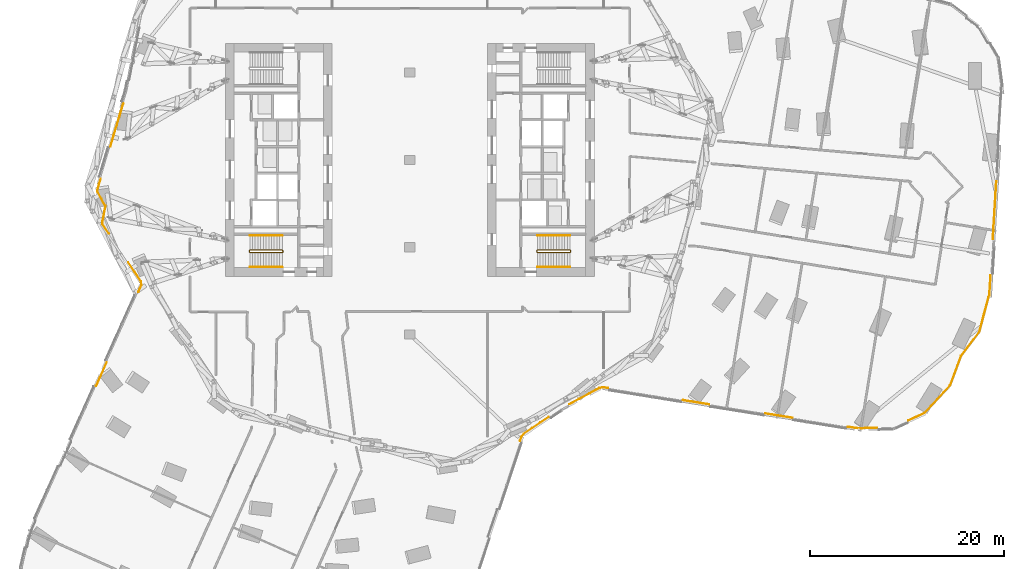
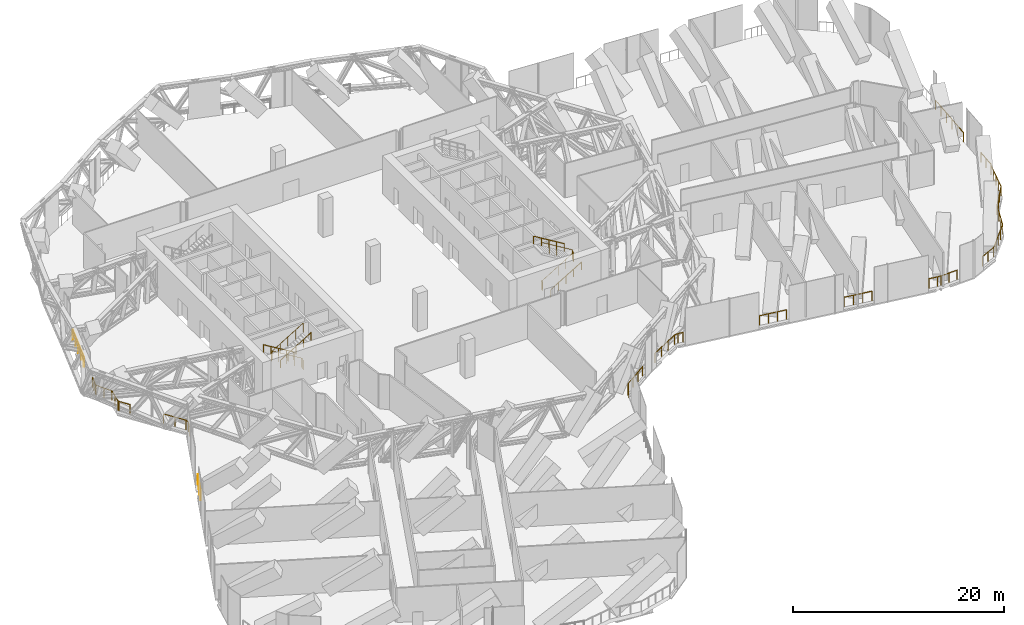
# One storey, part 36 of 39: 19 railings.
"""IFC4 building model written with IfcOpenShell, lengths in metres."""

from ifc_helpers import new_model, si_unit, direction, frame, origin, origin_2d, place, context, subcontext, project, spatial, circle, extrude, material, type_object, element, save


model = new_model("IFC4")

# Units and contexts
model_context = context("Model", 3, precision=1e-05, world=origin(), true_north=direction((0.0, 1.0)))
body_context = subcontext(model_context, "Body", "Model", "MODEL_VIEW")
ifc_project = project(units=[si_unit("LENGTHUNIT", "METRE"), si_unit("AREAUNIT", "SQUARE_METRE"), si_unit("VOLUMEUNIT", "CUBIC_METRE"), si_unit("PLANEANGLEUNIT", "RADIAN"), si_unit("MASSUNIT", "GRAM", prefix="KILO")], contexts=[model_context])

# Site, building, storey
site_placement = place(None, origin())
site = spatial("IfcSite", under=ifc_project, at=site_placement, CompositionType="ELEMENT")
building_placement = place(site_placement, origin())
building = spatial("IfcBuilding", under=site, at=building_placement, Name="Orlundy Tower", CompositionType="ELEMENT")
storey_placement = place(building_placement, frame((0.0, 0.0, 141.199951171875)))
storey = spatial("IfcBuildingStorey", under=building, at=storey_placement, Name="L36", CompositionType="ELEMENT", Elevation=141.199951171875)

# Railings
ifc_material_1 = material(Name="Steel balustrade", Category="steel")
railing_type_1 = type_object("IfcRailingType", Name="Stair Guard 1100", PredefinedType="GUARDRAIL", material=ifc_material_1)
railing_1_placement = place(storey_placement, frame((-13.090087890625, -9.35009765625, 0.0)))
element("IfcRailing", 1, at=railing_1_placement, inside=storey, type_object=railing_type_1, Name="L36 ST-W2 stair guard 1", PredefinedType="GUARDRAIL", context=body_context, shape_type="SweptSolid", body=[
    extrude(circle(Radius=0.02392578125, at=origin_2d()), frame((0.0, 0.0, 1.076171875), z_axis=(0.0, -1.0, 0.0), x_axis=(1.0, 0.0, 0.0)), (0.0, 0.0, 1.0), 0.14990234375),
    extrude(circle(Radius=0.02392578125, at=origin_2d()), frame((0.0, -0.14990234375, 1.076171875), z_axis=(-0.186800498525, 0.749949060256, 0.634572281755), x_axis=(-0.970351222016, -0.241699205484, 0.0)), (0.0, 0.0, 1.0), 0.2666015625),
    extrude(circle(Radius=0.02392578125, at=origin_2d()), frame((-0.0498046875, 0.050048828125, 1.2451171875), z_axis=(-0.855836976705, 0.0, 0.517245656632), x_axis=(0.0, -1.0, 0.0)), (0.0, 0.0, 1.0), 3.926025390625),
    extrude(circle(Radius=0.02392578125, at=origin_2d()), frame((-3.409912109375, 0.050048828125, 3.27587890625), z_axis=(-0.707106781187, -0.707106781187, 0.0), x_axis=(0.707106781187, -0.707106781187, 0.0)), (0.0, 0.0, 1.0), 0.07080078125),
    extrude(circle(Radius=0.02392578125, at=origin_2d()), frame((-3.4599609375, 0.0, 3.27587890625), z_axis=(0.0, -1.0, 0.0), x_axis=(1.0, 0.0, 0.0)), (0.0, 0.0, 1.0), 0.14990234375),
    extrude(circle(Radius=0.02392578125, at=origin_2d()), frame((-3.4599609375, -0.14990234375, 3.27587890625), z_axis=(0.272562526181, -0.272562526181, 0.92272386912), x_axis=(0.707106781187, 0.707106781187, 0.0)), (0.0, 0.0, 1.0), 0.18359375),
    extrude(circle(Radius=0.02392578125, at=origin_2d()), frame((-3.409912109375, -0.199951171875, 3.4453125), z_axis=(0.855836976705, 0.0, 0.517245656632), x_axis=(0.0, 1.0, 0.0)), (0.0, 0.0, 1.0), 3.926025390625),
    extrude(circle(Radius=0.02099609375, at=origin_2d()), origin(), (0.0, 0.0, 1.0), 1.052001953125),
    extrude(circle(Radius=0.02099609375, at=origin_2d()), frame((0.0, -0.14990234375, 0.0)), (0.0, 0.0, 1.0), 1.052001953125),
    extrude(circle(Radius=0.02099609375, at=origin_2d()), frame((-0.0498046875, 0.050048828125, 0.169189453125)), (0.0, 0.0, 1.0), 1.052001953125),
    extrude(circle(Radius=0.02099609375, at=origin_2d()), frame((-0.889892578125, 0.050048828125, 0.6767578125)), (0.0, 0.0, 1.0), 1.052001953125),
    extrude(circle(Radius=0.02099609375, at=origin_2d()), frame((-1.72998046875, 0.050048828125, 1.1845703125)), (0.0, 0.0, 1.0), 1.052001953125),
    extrude(circle(Radius=0.02099609375, at=origin_2d()), frame((-2.56982421875, 0.050048828125, 1.6923828125)), (0.0, 0.0, 1.0), 1.052001953125),
    extrude(circle(Radius=0.02099609375, at=origin_2d()), frame((-3.409912109375, 0.050048828125, 2.199951171875)), (0.0, 0.0, 1.0), 1.052001953125),
    extrude(circle(Radius=0.02099609375, at=origin_2d()), frame((-3.4599609375, 0.0, 2.199951171875)), (0.0, 0.0, 1.0), 1.052001953125),
    extrude(circle(Radius=0.02099609375, at=origin_2d()), frame((-3.4599609375, -0.14990234375, 2.199951171875)), (0.0, 0.0, 1.0), 1.052001953125),
    extrude(circle(Radius=0.02099609375, at=origin_2d()), frame((-3.409912109375, -0.199951171875, 2.369384765625)), (0.0, 0.0, 1.0), 1.052001953125),
    extrude(circle(Radius=0.02099609375, at=origin_2d()), frame((-2.56982421875, -0.199951171875, 2.876953125)), (0.0, 0.0, 1.0), 1.052001953125),
    extrude(circle(Radius=0.02099609375, at=origin_2d()), frame((-1.72998046875, -0.199951171875, 3.384765625)), (0.0, 0.0, 1.0), 1.052001953125),
    extrude(circle(Radius=0.02099609375, at=origin_2d()), frame((-0.889892578125, -0.199951171875, 3.892578125)), (0.0, 0.0, 1.0), 1.052001953125),
    extrude(circle(Radius=0.02099609375, at=origin_2d()), frame((-0.0498046875, -0.199951171875, 4.400146484375)), (0.0, 0.0, 1.0), 1.052001953125),
])
railing_2_placement = place(storey_placement, frame((13.090087890625, -9.5, 0.0)))
element("IfcRailing", 2, at=railing_2_placement, inside=storey, type_object=railing_type_1, Name="L36 ST-E1 stair guard 1", PredefinedType="GUARDRAIL", context=body_context, shape_type="SweptSolid", body=[
    extrude(circle(Radius=0.02392578125, at=origin_2d()), frame((0.0, 0.0, 1.076171875), z_axis=(0.0, 1.0, 0.0), x_axis=(-1.0, 0.0, 0.0)), (0.0, 0.0, 1.0), 0.14990234375),
    extrude(circle(Radius=0.02392578125, at=origin_2d()), frame((0.0, 0.14990234375, 1.076171875), z_axis=(0.186800498525, -0.749949060256, 0.634572281755), x_axis=(0.970351222016, 0.241699205484, 0.0)), (0.0, 0.0, 1.0), 0.2666015625),
    extrude(circle(Radius=0.02392578125, at=origin_2d()), frame((0.0498046875, -0.050048828125, 1.2451171875), z_axis=(0.855836976705, 0.0, 0.517245656632), x_axis=(0.0, 1.0, 0.0)), (0.0, 0.0, 1.0), 3.926025390625),
    extrude(circle(Radius=0.02392578125, at=origin_2d()), frame((3.409912109375, -0.050048828125, 3.27587890625), z_axis=(0.707106781187, 0.707106781187, 0.0), x_axis=(-0.707106781187, 0.707106781187, 0.0)), (0.0, 0.0, 1.0), 0.07080078125),
    extrude(circle(Radius=0.02392578125, at=origin_2d()), frame((3.4599609375, 0.0, 3.27587890625), z_axis=(0.0, 1.0, 0.0), x_axis=(-1.0, 0.0, 0.0)), (0.0, 0.0, 1.0), 0.14990234375),
    extrude(circle(Radius=0.02392578125, at=origin_2d()), frame((3.4599609375, 0.14990234375, 3.27587890625), z_axis=(-0.272562526181, 0.272562526181, 0.92272386912), x_axis=(-0.707106781187, -0.707106781187, 0.0)), (0.0, 0.0, 1.0), 0.18359375),
    extrude(circle(Radius=0.02392578125, at=origin_2d()), frame((3.409912109375, 0.199951171875, 3.4453125), z_axis=(-0.855836976705, 0.0, 0.517245656632), x_axis=(0.0, -1.0, 0.0)), (0.0, 0.0, 1.0), 3.926025390625),
    extrude(circle(Radius=0.02099609375, at=origin_2d()), origin(), (0.0, 0.0, 1.0), 1.052001953125),
    extrude(circle(Radius=0.02099609375, at=origin_2d()), frame((0.0, 0.14990234375, 0.0)), (0.0, 0.0, 1.0), 1.052001953125),
    extrude(circle(Radius=0.02099609375, at=origin_2d()), frame((0.0498046875, -0.050048828125, 0.169189453125)), (0.0, 0.0, 1.0), 1.052001953125),
    extrude(circle(Radius=0.02099609375, at=origin_2d()), frame((0.889892578125, -0.050048828125, 0.6767578125)), (0.0, 0.0, 1.0), 1.052001953125),
    extrude(circle(Radius=0.02099609375, at=origin_2d()), frame((1.72998046875, -0.050048828125, 1.1845703125)), (0.0, 0.0, 1.0), 1.052001953125),
    extrude(circle(Radius=0.02099609375, at=origin_2d()), frame((2.56982421875, -0.050048828125, 1.6923828125)), (0.0, 0.0, 1.0), 1.052001953125),
    extrude(circle(Radius=0.02099609375, at=origin_2d()), frame((3.409912109375, -0.050048828125, 2.199951171875)), (0.0, 0.0, 1.0), 1.052001953125),
    extrude(circle(Radius=0.02099609375, at=origin_2d()), frame((3.4599609375, 0.0, 2.199951171875)), (0.0, 0.0, 1.0), 1.052001953125),
    extrude(circle(Radius=0.02099609375, at=origin_2d()), frame((3.4599609375, 0.14990234375, 2.199951171875)), (0.0, 0.0, 1.0), 1.052001953125),
    extrude(circle(Radius=0.02099609375, at=origin_2d()), frame((3.409912109375, 0.199951171875, 2.369384765625)), (0.0, 0.0, 1.0), 1.052001953125),
    extrude(circle(Radius=0.02099609375, at=origin_2d()), frame((2.56982421875, 0.199951171875, 2.876953125)), (0.0, 0.0, 1.0), 1.052001953125),
    extrude(circle(Radius=0.02099609375, at=origin_2d()), frame((1.72998046875, 0.199951171875, 3.384765625)), (0.0, 0.0, 1.0), 1.052001953125),
    extrude(circle(Radius=0.02099609375, at=origin_2d()), frame((0.889892578125, 0.199951171875, 3.892578125)), (0.0, 0.0, 1.0), 1.052001953125),
    extrude(circle(Radius=0.02099609375, at=origin_2d()), frame((0.0498046875, 0.199951171875, 4.400146484375)), (0.0, 0.0, 1.0), 1.052001953125),
])
ifc_material_2 = material(Name="Steel handrail", Category="steel")
railing_type_2 = type_object("IfcRailingType", Name="Stair Handrail 900", PredefinedType="HANDRAIL", material=ifc_material_2)
railing_3_placement = place(storey_placement, frame((-13.139892578125, -7.800048828125, 0.169189453125)))
element("IfcRailing", 3, at=railing_3_placement, inside=storey, type_object=railing_type_2, Name="L36 ST-W2 stair handrail 1", PredefinedType="HANDRAIL", context=body_context, shape_type="SweptSolid", body=[
    extrude(circle(Radius=0.02392578125, at=origin_2d()), frame((0.0, 0.0, 0.8759765625), z_axis=(-0.855836976705, 0.0, 0.517245656632), x_axis=(0.0, -1.0, 0.0)), (0.0, 0.0, 1.0), 3.926025390625),
    extrude(circle(Radius=0.02099609375, at=origin_2d()), origin(), (0.0, 0.0, 1.0), 0.851806640625),
    extrude(circle(Radius=0.02099609375, at=origin_2d()), frame((-0.840087890625, 0.0, 0.5078125)), (0.0, 0.0, 1.0), 0.851806640625),
    extrude(circle(Radius=0.02099609375, at=origin_2d()), frame((-1.68017578125, 0.0, 1.015380859375)), (0.0, 0.0, 1.0), 0.851806640625),
    extrude(circle(Radius=0.02099609375, at=origin_2d()), frame((-2.52001953125, 0.0, 1.52294921875)), (0.0, 0.0, 1.0), 0.851806640625),
    extrude(circle(Radius=0.02099609375, at=origin_2d()), frame((-3.360107421875, 0.0, 2.03076171875)), (0.0, 0.0, 1.0), 0.851806640625),
])
for number, where, name in (
    (4, (-16.5, -11.050048828125, 2.369384765625), "L36 ST-W2 stair handrail 2"),
    (5, (13.139892578125, -11.050048828125, 0.169189453125), "L36 ST-E1 stair handrail 1"),
):
    element("IfcRailing", number, at=place(storey_placement, frame(where)), inside=storey, type_object=railing_type_2, Name=name, PredefinedType="HANDRAIL", context=body_context, shape_type="SweptSolid", body=[
        extrude(circle(Radius=0.02392578125, at=origin_2d()), frame((0.0, 0.0, 0.8759765625), z_axis=(0.855836976705, 0.0, 0.517245656632), x_axis=(0.0, 1.0, 0.0)), (0.0, 0.0, 1.0), 3.926025390625),
        extrude(circle(Radius=0.02099609375, at=origin_2d()), origin(), (0.0, 0.0, 1.0), 0.851806640625),
        extrude(circle(Radius=0.02099609375, at=origin_2d()), frame((0.840087890625, 0.0, 0.5078125)), (0.0, 0.0, 1.0), 0.851806640625),
        extrude(circle(Radius=0.02099609375, at=origin_2d()), frame((1.68017578125, 0.0, 1.015380859375)), (0.0, 0.0, 1.0), 0.851806640625),
        extrude(circle(Radius=0.02099609375, at=origin_2d()), frame((2.52001953125, 0.0, 1.52294921875)), (0.0, 0.0, 1.0), 0.851806640625),
        extrude(circle(Radius=0.02099609375, at=origin_2d()), frame((3.360107421875, 0.0, 2.03076171875)), (0.0, 0.0, 1.0), 0.851806640625),
    ])
railing_4_placement = place(storey_placement, frame((16.5, -7.800048828125, 2.369384765625)))
element("IfcRailing", 6, at=railing_4_placement, inside=storey, type_object=railing_type_2, Name="L36 ST-E1 stair handrail 2", PredefinedType="HANDRAIL", context=body_context, shape_type="SweptSolid", body=[
    extrude(circle(Radius=0.02392578125, at=origin_2d()), frame((0.0, 0.0, 0.8759765625), z_axis=(-0.855836976705, 0.0, 0.517245656632), x_axis=(0.0, -1.0, 0.0)), (0.0, 0.0, 1.0), 3.926025390625),
    extrude(circle(Radius=0.02099609375, at=origin_2d()), origin(), (0.0, 0.0, 1.0), 0.851806640625),
    extrude(circle(Radius=0.02099609375, at=origin_2d()), frame((-0.840087890625, 0.0, 0.5078125)), (0.0, 0.0, 1.0), 0.851806640625),
    extrude(circle(Radius=0.02099609375, at=origin_2d()), frame((-1.68017578125, 0.0, 1.015380859375)), (0.0, 0.0, 1.0), 0.851806640625),
    extrude(circle(Radius=0.02099609375, at=origin_2d()), frame((-2.52001953125, 0.0, 1.52294921875)), (0.0, 0.0, 1.0), 0.851806640625),
    extrude(circle(Radius=0.02099609375, at=origin_2d()), frame((-3.360107421875, 0.0, 2.03076171875)), (0.0, 0.0, 1.0), 0.851806640625),
])
ifc_material_3 = material(Name="Stainless steel bronze finish", Category="steel")
railing_type_3 = type_object("IfcRailingType", Name="TG1 terrace guard", PredefinedType="GUARDRAIL", material=ifc_material_3)
railing_5_placement = place(storey_placement, frame((58.69189453125, -17.704345703125, 0.0)))
element("IfcRailing", 7, at=railing_5_placement, inside=storey, type_object=railing_type_3, Name="Guard TG-L36-E04", PredefinedType="GUARDRAIL", context=body_context, shape_type="SweptSolid", body=[
    extrude(circle(Radius=0.02490234375, at=origin_2d()), frame((0.0, 0.0, 1.09521484375), z_axis=(-0.603881840745, -0.797073850041, 0.0), x_axis=(0.797073850041, -0.603881840745, 0.0)), (0.0, 0.0, 1.0), 3.11376953125),
    extrude(circle(Radius=0.02490234375, at=origin_2d()), frame((-1.88037109375, -2.48193359375, 1.09521484375), z_axis=(-0.348678874891, -0.937242253745, 0.0), x_axis=(0.937242253745, -0.348678874891, 0.0)), (0.0, 0.0, 1.0), 3.274169921875),
    extrude(circle(Radius=0.02001953125, at=origin_2d()), origin(), (0.0, 0.0, 1.0), 1.070068359375),
    extrude(circle(Radius=0.02001953125, at=origin_2d()), frame((-0.626708984375, -0.827392578125, 0.0)), (0.0, 0.0, 1.0), 1.070068359375),
    extrude(circle(Radius=0.02001953125, at=origin_2d()), frame((-1.253662109375, -1.654541015625, 0.0)), (0.0, 0.0, 1.0), 1.070068359375),
    extrude(circle(Radius=0.02001953125, at=origin_2d()), frame((-1.88037109375, -2.48193359375, 0.0)), (0.0, 0.0, 1.0), 1.070068359375),
    extrude(circle(Radius=0.02001953125, at=origin_2d()), frame((-2.260986328125, -3.5048828125, 0.0)), (0.0, 0.0, 1.0), 1.070068359375),
    extrude(circle(Radius=0.02001953125, at=origin_2d()), frame((-2.641357421875, -4.527587890625, 0.0)), (0.0, 0.0, 1.0), 1.070068359375),
    extrude(circle(Radius=0.02001953125, at=origin_2d()), frame((-3.02197265625, -5.550537109375, 0.0)), (0.0, 0.0, 1.0), 1.070068359375),
])
railing_6_placement = place(storey_placement, frame((-31.016845703125, -7.59326171875, 0.0)))
element("IfcRailing", 8, at=railing_6_placement, inside=storey, type_object=railing_type_3, Name="Guard TG-L36-E07", PredefinedType="GUARDRAIL", context=body_context, shape_type="SweptSolid", body=[
    extrude(circle(Radius=0.02490234375, at=origin_2d()), frame((0.0, 0.0, 1.09521484375), z_axis=(-0.559191400658, 0.829038586213, 0.0), x_axis=(-0.829038586213, -0.559191400658, 0.0)), (0.0, 0.0, 1.0), 1.177001953125),
    extrude(circle(Radius=0.02490234375, at=origin_2d()), frame((-0.658203125, 0.975830078125, 1.09521484375), z_axis=(-0.219230204244, 0.975673161231, 0.0), x_axis=(-0.975673161231, -0.219230204244, 0.0)), (0.0, 0.0, 1.0), 0.12353515625),
    extrude(circle(Radius=0.02490234375, at=origin_2d()), frame((-0.685302734375, 1.096435546875, 1.09521484375), z_axis=(0.190685594956, 0.98165116201, 0.0), x_axis=(-0.98165116201, 0.190685594956, 0.0)), (0.0, 0.0, 1.0), 1.7041015625),
    extrude(circle(Radius=0.02490234375, at=origin_2d()), frame((-0.3603515625, 2.769287109375, 1.09521484375), z_axis=(-0.151148481726, 0.988511070485, 0.0), x_axis=(-0.988511070485, -0.151148481726, 0.0)), (0.0, 0.0, 1.0), 0.080810546875),
    extrude(circle(Radius=0.02490234375, at=origin_2d()), frame((-0.37255859375, 2.84912109375, 1.09521484375), z_axis=(-0.474492530725, 0.880259528938, 0.0), x_axis=(-0.880259528938, -0.474492530725, 0.0)), (0.0, 0.0, 1.0), 1.705078125),
    extrude(circle(Radius=0.02490234375, at=origin_2d()), frame((-1.181640625, 4.35009765625, 1.09521484375), z_axis=(-0.078960612796, 0.996877736549, 0.0), x_axis=(-0.996877736549, -0.078960612796, 0.0)), (0.0, 0.0, 1.0), 0.123779296875),
    extrude(circle(Radius=0.02490234375, at=origin_2d()), frame((-1.19140625, 4.473388671875, 1.09521484375), z_axis=(0.286762385976, 0.958001740076, 0.0), x_axis=(-0.958001740076, 0.286762385976, 0.0)), (0.0, 0.0, 1.0), 1.224365234375),
    extrude(circle(Radius=0.02001953125, at=origin_2d()), origin(), (0.0, 0.0, 1.0), 1.070068359375),
    extrude(circle(Radius=0.02001953125, at=origin_2d()), frame((-0.658203125, 0.975830078125, 0.0)), (0.0, 0.0, 1.0), 1.070068359375),
    extrude(circle(Radius=0.02001953125, at=origin_2d()), frame((-0.685302734375, 1.096435546875, 0.0)), (0.0, 0.0, 1.0), 1.070068359375),
    extrude(circle(Radius=0.02001953125, at=origin_2d()), frame((-0.52294921875, 1.932861328125, 0.0)), (0.0, 0.0, 1.0), 1.070068359375),
    extrude(circle(Radius=0.02001953125, at=origin_2d()), frame((-0.3603515625, 2.769287109375, 0.0)), (0.0, 0.0, 1.0), 1.070068359375),
    extrude(circle(Radius=0.02001953125, at=origin_2d()), frame((-0.37255859375, 2.84912109375, 0.0)), (0.0, 0.0, 1.0), 1.070068359375),
    extrude(circle(Radius=0.02001953125, at=origin_2d()), frame((-0.777099609375, 3.599609375, 0.0)), (0.0, 0.0, 1.0), 1.070068359375),
    extrude(circle(Radius=0.02001953125, at=origin_2d()), frame((-1.181640625, 4.35009765625, 0.0)), (0.0, 0.0, 1.0), 1.070068359375),
    extrude(circle(Radius=0.02001953125, at=origin_2d()), frame((-1.19140625, 4.473388671875, 0.0)), (0.0, 0.0, 1.0), 1.070068359375),
    extrude(circle(Radius=0.02001953125, at=origin_2d()), frame((-1.015869140625, 5.059814453125, 0.0)), (0.0, 0.0, 1.0), 1.070068359375),
    extrude(circle(Radius=0.02001953125, at=origin_2d()), frame((-0.84033203125, 5.646240234375, 0.0)), (0.0, 0.0, 1.0), 1.070068359375),
])
railing_7_placement = place(storey_placement, frame((59.84619140625, -11.881103515625, 0.0)))
element("IfcRailing", 9, at=railing_7_placement, inside=storey, type_object=railing_type_3, Name="Guard TG-L36-E08", PredefinedType="GUARDRAIL", context=body_context, shape_type="SweptSolid", body=[
    extrude(circle(Radius=0.02490234375, at=origin_2d()), frame((0.0, 0.0, 1.09521484375), z_axis=(-0.061072148247, -0.998133354171, 0.0), x_axis=(0.998133354171, -0.061072148247, 0.0)), (0.0, 0.0, 1.0), 2.0947265625),
    extrude(circle(Radius=0.02490234375, at=origin_2d()), frame((-0.1279296875, -2.0908203125, 1.09521484375), z_axis=(-0.458320388078, -0.888787050914, 0.0), x_axis=(0.888787050914, -0.458320388078, 0.0)), (0.0, 0.0, 1.0), 0.19287109375),
    extrude(circle(Radius=0.02490234375, at=origin_2d()), frame((-0.21630859375, -2.26220703125, 1.09521484375), z_axis=(-0.254715200453, -0.967016114994, 0.0), x_axis=(0.967016114994, -0.254715200453, 0.0)), (0.0, 0.0, 1.0), 3.6826171875),
    extrude(circle(Radius=0.02001953125, at=origin_2d()), origin(), (0.0, 0.0, 1.0), 1.070068359375),
    extrude(circle(Radius=0.02001953125, at=origin_2d()), frame((-0.06396484375, -1.04541015625, 0.0)), (0.0, 0.0, 1.0), 1.070068359375),
    extrude(circle(Radius=0.02001953125, at=origin_2d()), frame((-0.1279296875, -2.0908203125, 0.0)), (0.0, 0.0, 1.0), 1.070068359375),
    extrude(circle(Radius=0.02001953125, at=origin_2d()), frame((-0.21630859375, -2.26220703125, 0.0)), (0.0, 0.0, 1.0), 1.070068359375),
    extrude(circle(Radius=0.02001953125, at=origin_2d()), frame((-0.45068359375, -3.15234375, 0.0)), (0.0, 0.0, 1.0), 1.070068359375),
    extrude(circle(Radius=0.02001953125, at=origin_2d()), frame((-0.685302734375, -4.042724609375, 0.0)), (0.0, 0.0, 1.0), 1.070068359375),
    extrude(circle(Radius=0.02001953125, at=origin_2d()), frame((-0.919921875, -4.93310546875, 0.0)), (0.0, 0.0, 1.0), 1.070068359375),
    extrude(circle(Radius=0.02001953125, at=origin_2d()), frame((-1.154296875, -5.8232421875, 0.0)), (0.0, 0.0, 1.0), 1.070068359375),
])
railing_8_placement = place(storey_placement, frame((60.43798828125, -2.202880859375, 0.0)))
element("IfcRailing", 10, at=railing_8_placement, inside=storey, type_object=railing_type_3, Name="Guard TG-L36-E09", PredefinedType="GUARDRAIL", context=body_context, shape_type="SweptSolid", body=[
    extrude(circle(Radius=0.02490234375, at=origin_2d()), frame((0.0, 0.0, 1.09521484375), z_axis=(-0.061014316619, -0.998136890996, 0.0), x_axis=(0.998136890996, -0.061014316619, 0.0)), (0.0, 0.0, 1.0), 5.9619140625),
    extrude(circle(Radius=0.02001953125, at=origin_2d()), origin(), (0.0, 0.0, 1.0), 1.070068359375),
    extrude(circle(Radius=0.02001953125, at=origin_2d()), frame((-0.07275390625, -1.190185546875, 0.0)), (0.0, 0.0, 1.0), 1.070068359375),
    extrude(circle(Radius=0.02001953125, at=origin_2d()), frame((-0.1455078125, -2.38037109375, 0.0)), (0.0, 0.0, 1.0), 1.070068359375),
    extrude(circle(Radius=0.02001953125, at=origin_2d()), frame((-0.21826171875, -3.570556640625, 0.0)), (0.0, 0.0, 1.0), 1.070068359375),
    extrude(circle(Radius=0.02001953125, at=origin_2d()), frame((-0.291015625, -4.7607421875, 0.0)), (0.0, 0.0, 1.0), 1.070068359375),
    extrude(circle(Radius=0.02001953125, at=origin_2d()), frame((-0.36376953125, -5.950927734375, 0.0)), (0.0, 0.0, 1.0), 1.070068359375),
])
railing_9_placement = place(storey_placement, frame((55.669921875, -23.2548828125, 0.0)))
element("IfcRailing", 11, at=railing_9_placement, inside=storey, type_object=railing_type_3, Name="Guard TG-L36-E011", PredefinedType="GUARDRAIL", context=body_context, shape_type="SweptSolid", body=[
    extrude(circle(Radius=0.02490234375, at=origin_2d()), frame((0.0, 0.0, 1.09521484375), z_axis=(-0.679787117782, -0.733409486234, 0.0), x_axis=(0.733409486234, -0.679787117782, 0.0)), (0.0, 0.0, 1.0), 3.851806640625),
    extrude(circle(Radius=0.02490234375, at=origin_2d()), frame((-2.618408203125, -2.824951171875, 1.09521484375), z_axis=(-0.909343103328, -0.41604701709, 0.0), x_axis=(0.41604701709, -0.909343103328, 0.0)), (0.0, 0.0, 1.0), 1.867919921875),
    extrude(circle(Radius=0.02001953125, at=origin_2d()), origin(), (0.0, 0.0, 1.0), 1.070068359375),
    extrude(circle(Radius=0.02001953125, at=origin_2d()), frame((-0.654541015625, -0.706298828125, 0.0)), (0.0, 0.0, 1.0), 1.070068359375),
    extrude(circle(Radius=0.02001953125, at=origin_2d()), frame((-1.30908203125, -1.41259765625, 0.0)), (0.0, 0.0, 1.0), 1.070068359375),
    extrude(circle(Radius=0.02001953125, at=origin_2d()), frame((-1.9638671875, -2.11865234375, 0.0)), (0.0, 0.0, 1.0), 1.070068359375),
    extrude(circle(Radius=0.02001953125, at=origin_2d()), frame((-2.618408203125, -2.824951171875, 0.0)), (0.0, 0.0, 1.0), 1.070068359375),
    extrude(circle(Radius=0.02001953125, at=origin_2d()), frame((-3.4677734375, -3.21337890625, 0.0)), (0.0, 0.0, 1.0), 1.070068359375),
    extrude(circle(Radius=0.02001953125, at=origin_2d()), frame((-4.31689453125, -3.60205078125, 0.0)), (0.0, 0.0, 1.0), 1.070068359375),
])
railing_10_placement = place(storey_placement, frame((-30.866455078125, 1.361572265625, 0.0)))
element("IfcRailing", 12, at=railing_10_placement, inside=storey, type_object=railing_type_3, Name="Guard TG-L36-E017", PredefinedType="GUARDRAIL", context=body_context, shape_type="SweptSolid", body=[
    extrude(circle(Radius=0.02490234375, at=origin_2d()), frame((0.0, 0.0, 1.09521484375), z_axis=(0.286856479453, 0.957973569675, 0.0), x_axis=(-0.957973569675, 0.286856479453, 0.0)), (0.0, 0.0, 1.0), 4.6494140625),
    extrude(circle(Radius=0.02001953125, at=origin_2d()), origin(), (0.0, 0.0, 1.0), 1.070068359375),
    extrude(circle(Radius=0.02001953125, at=origin_2d()), frame((0.33349609375, 1.113525390625, 0.0)), (0.0, 0.0, 1.0), 1.070068359375),
    extrude(circle(Radius=0.02001953125, at=origin_2d()), frame((0.6669921875, 2.22705078125, 0.0)), (0.0, 0.0, 1.0), 1.070068359375),
    extrude(circle(Radius=0.02001953125, at=origin_2d()), frame((1.000244140625, 3.340576171875, 0.0)), (0.0, 0.0, 1.0), 1.070068359375),
    extrude(circle(Radius=0.02001953125, at=origin_2d()), frame((1.333740234375, 4.4541015625, 0.0)), (0.0, 0.0, 1.0), 1.070068359375),
])
railing_11_placement = place(storey_placement, frame((20.443359375, -23.51708984375, 0.0)))
element("IfcRailing", 13, at=railing_11_placement, inside=storey, type_object=railing_type_3, Name="Guard TG-L36-E020", PredefinedType="GUARDRAIL", context=body_context, shape_type="SweptSolid", body=[
    extrude(circle(Radius=0.02490234375, at=origin_2d()), frame((0.0, 0.0, 1.09521484375), z_axis=(-0.987216983254, 0.159382018983, 0.0), x_axis=(-0.159382018983, -0.987216983254, 0.0)), (0.0, 0.0, 1.0), 0.51318359375),
    extrude(circle(Radius=0.02490234375, at=origin_2d()), frame((-0.506591796875, 0.081787109375, 1.09521484375), z_axis=(-0.986016013844, -0.166650593889, 0.0), x_axis=(0.166650593889, -0.986016013844, 0.0)), (0.0, 0.0, 1.0), 0.404296875),
    extrude(circle(Radius=0.02490234375, at=origin_2d()), frame((-0.9052734375, 0.014404296875, 1.09521484375), z_axis=(-0.880214615517, -0.474575842864, 0.0), x_axis=(0.474575842864, -0.880214615517, 0.0)), (0.0, 0.0, 1.0), 3.5166015625),
    extrude(circle(Radius=0.02001953125, at=origin_2d()), origin(), (0.0, 0.0, 1.0), 1.070068359375),
    extrude(circle(Radius=0.02001953125, at=origin_2d()), frame((-0.506591796875, 0.081787109375, 0.0)), (0.0, 0.0, 1.0), 1.070068359375),
    extrude(circle(Radius=0.02001953125, at=origin_2d()), frame((-0.9052734375, 0.014404296875, 0.0)), (0.0, 0.0, 1.0), 1.070068359375),
    extrude(circle(Radius=0.02001953125, at=origin_2d()), frame((-1.93701171875, -0.5419921875, 0.0)), (0.0, 0.0, 1.0), 1.070068359375),
    extrude(circle(Radius=0.02001953125, at=origin_2d()), frame((-2.968994140625, -1.09814453125, 0.0)), (0.0, 0.0, 1.0), 1.070068359375),
    extrude(circle(Radius=0.02001953125, at=origin_2d()), frame((-4.000732421875, -1.654541015625, 0.0)), (0.0, 0.0, 1.0), 1.070068359375),
])
railing_12_placement = place(storey_placement, frame((14.309814453125, -26.48583984375, 0.0)))
element("IfcRailing", 14, at=railing_12_placement, inside=storey, type_object=railing_type_3, Name="Guard TG-L36-E022", PredefinedType="GUARDRAIL", context=body_context, shape_type="SweptSolid", body=[
    extrude(circle(Radius=0.02490234375, at=origin_2d()), frame((0.0, 0.0, 1.09521484375), z_axis=(-0.829016861442, -0.559223607732, 0.0), x_axis=(0.559223607732, -0.829016861442, 0.0)), (0.0, 0.0, 1.0), 3.095703125),
    extrude(circle(Radius=0.02490234375, at=origin_2d()), frame((-2.56640625, -1.731201171875, 1.09521484375), z_axis=(-0.605297465156, -0.795999358465, 0.0), x_axis=(0.795999358465, -0.605297465156, 0.0)), (0.0, 0.0, 1.0), 0.404541015625),
    extrude(circle(Radius=0.02490234375, at=origin_2d()), frame((-2.811279296875, -2.05322265625, 1.09521484375), z_axis=(-0.31691166584, -0.948455057477, 0.0), x_axis=(0.948455057477, -0.31691166584, 0.0)), (0.0, 0.0, 1.0), 0.42822265625),
    extrude(circle(Radius=0.02001953125, at=origin_2d()), origin(), (0.0, 0.0, 1.0), 1.070068359375),
    extrude(circle(Radius=0.02001953125, at=origin_2d()), frame((-0.85546875, -0.5771484375, 0.0)), (0.0, 0.0, 1.0), 1.070068359375),
    extrude(circle(Radius=0.02001953125, at=origin_2d()), frame((-1.7109375, -1.154052734375, 0.0)), (0.0, 0.0, 1.0), 1.070068359375),
    extrude(circle(Radius=0.02001953125, at=origin_2d()), frame((-2.56640625, -1.731201171875, 0.0)), (0.0, 0.0, 1.0), 1.070068359375),
    extrude(circle(Radius=0.02001953125, at=origin_2d()), frame((-2.811279296875, -2.05322265625, 0.0)), (0.0, 0.0, 1.0), 1.070068359375),
    extrude(circle(Radius=0.02001953125, at=origin_2d()), frame((-2.947021484375, -2.45947265625, 0.0)), (0.0, 0.0, 1.0), 1.070068359375),
])
railing_13_placement = place(storey_placement, frame((-27.98046875, -13.60205078125, 0.0)))
element("IfcRailing", 15, at=railing_13_placement, inside=storey, type_object=railing_type_3, Name="Guard TG-L36-E024", PredefinedType="GUARDRAIL", context=body_context, shape_type="SweptSolid", body=[
    extrude(circle(Radius=0.02490234375, at=origin_2d()), frame((0.0, 0.0, 1.09521484375), z_axis=(0.409520362153, 0.91230097719, 0.0), x_axis=(-0.91230097719, 0.409520362153, 0.0)), (0.0, 0.0, 1.0), 0.76953125),
    extrude(circle(Radius=0.02490234375, at=origin_2d()), frame((0.315185546875, 0.7021484375, 1.09521484375), z_axis=(-0.086060352959, 0.996289925498, 0.0), x_axis=(-0.996289925498, -0.086060352959, 0.0)), (0.0, 0.0, 1.0), 0.388671875),
    extrude(circle(Radius=0.02490234375, at=origin_2d()), frame((0.28173828125, 1.08935546875, 1.09521484375), z_axis=(-0.559189467971, 0.829039889819, 0.0), x_axis=(-0.829039889819, -0.559189467971, 0.0)), (0.0, 0.0, 1.0), 2.36767578125),
    extrude(circle(Radius=0.02001953125, at=origin_2d()), origin(), (0.0, 0.0, 1.0), 1.070068359375),
    extrude(circle(Radius=0.02001953125, at=origin_2d()), frame((0.315185546875, 0.7021484375, 0.0)), (0.0, 0.0, 1.0), 1.070068359375),
    extrude(circle(Radius=0.02001953125, at=origin_2d()), frame((0.28173828125, 1.08935546875, 0.0)), (0.0, 0.0, 1.0), 1.070068359375),
    extrude(circle(Radius=0.02001953125, at=origin_2d()), frame((-0.38037109375, 2.07080078125, 0.0)), (0.0, 0.0, 1.0), 1.070068359375),
    extrude(circle(Radius=0.02001953125, at=origin_2d()), frame((-1.042236328125, 3.05224609375, 0.0)), (0.0, 0.0, 1.0), 1.070068359375),
])
railing_14_placement = place(storey_placement, frame((48.1650390625, -27.597412109375, 0.0)))
element("IfcRailing", 16, at=railing_14_placement, inside=storey, type_object=railing_type_3, Name="Guard TG-L36-E028", PredefinedType="GUARDRAIL", context=body_context, shape_type="SweptSolid", body=[
    extrude(circle(Radius=0.02490234375, at=origin_2d()), frame((0.0, 0.0, 1.09521484375), z_axis=(-0.999338868429, -0.036356925722, 0.0), x_axis=(0.036356925722, -0.999338868429, 0.0)), (0.0, 0.0, 1.0), 1.79296875),
    extrude(circle(Radius=0.02490234375, at=origin_2d()), frame((-1.791748046875, -0.065185546875, 1.09521484375), z_axis=(-0.9981177675, 0.061326358129, 0.0), x_axis=(-0.061326358129, -0.9981177675, 0.0)), (0.0, 0.0, 1.0), 0.39013671875),
    extrude(circle(Radius=0.02490234375, at=origin_2d()), frame((-2.18115234375, -0.041259765625, 1.09521484375), z_axis=(-0.987243988675, 0.159214656438, 0.0), x_axis=(-0.159214656438, -0.987243988675, 0.0)), (0.0, 0.0, 1.0), 0.86328125),
    extrude(circle(Radius=0.02001953125, at=origin_2d()), origin(), (0.0, 0.0, 1.0), 1.070068359375),
    extrude(circle(Radius=0.02001953125, at=origin_2d()), frame((-0.89599609375, -0.03271484375, 0.0)), (0.0, 0.0, 1.0), 1.070068359375),
    extrude(circle(Radius=0.02001953125, at=origin_2d()), frame((-1.791748046875, -0.065185546875, 0.0)), (0.0, 0.0, 1.0), 1.070068359375),
    extrude(circle(Radius=0.02001953125, at=origin_2d()), frame((-2.18115234375, -0.041259765625, 0.0)), (0.0, 0.0, 1.0), 1.070068359375),
    extrude(circle(Radius=0.02001953125, at=origin_2d()), frame((-3.033447265625, 0.09619140625, 0.0)), (0.0, 0.0, 1.0), 1.070068359375),
])
railing_15_placement = place(storey_placement, frame((39.40966796875, -26.57763671875, 0.0)))
element("IfcRailing", 17, at=railing_15_placement, inside=storey, type_object=railing_type_3, Name="Guard TG-L36-E034", PredefinedType="GUARDRAIL", context=body_context, shape_type="SweptSolid", body=[
    extrude(circle(Radius=0.02490234375, at=origin_2d()), frame((0.0, 0.0, 1.09521484375), z_axis=(-0.987240680905, 0.15923516561, 0.0), x_axis=(-0.15923516561, -0.987240680905, 0.0)), (0.0, 0.0, 1.0), 2.81494140625),
    extrude(circle(Radius=0.02001953125, at=origin_2d()), origin(), (0.0, 0.0, 1.0), 1.070068359375),
    extrude(circle(Radius=0.02001953125, at=origin_2d()), frame((-0.92626953125, 0.1494140625, 0.0)), (0.0, 0.0, 1.0), 1.070068359375),
    extrude(circle(Radius=0.02001953125, at=origin_2d()), frame((-1.852783203125, 0.298828125, 0.0)), (0.0, 0.0, 1.0), 1.070068359375),
    extrude(circle(Radius=0.02001953125, at=origin_2d()), frame((-2.779052734375, 0.4482421875, 0.0)), (0.0, 0.0, 1.0), 1.070068359375),
])
railing_16_placement = place(storey_placement, frame((30.854248046875, -25.197265625, 0.0)))
element("IfcRailing", 18, at=railing_16_placement, inside=storey, type_object=railing_type_3, Name="Guard TG-L36-E035", PredefinedType="GUARDRAIL", context=body_context, shape_type="SweptSolid", body=[
    extrude(circle(Radius=0.02490234375, at=origin_2d()), frame((0.0, 0.0, 1.09521484375), z_axis=(-0.987217219169, 0.159380557714, 0.0), x_axis=(-0.159380557714, -0.987217219169, 0.0)), (0.0, 0.0, 1.0), 2.74658203125),
    extrude(circle(Radius=0.02001953125, at=origin_2d()), origin(), (0.0, 0.0, 1.0), 1.070068359375),
    extrude(circle(Radius=0.02001953125, at=origin_2d()), frame((-0.90380859375, 0.14599609375, 0.0)), (0.0, 0.0, 1.0), 1.070068359375),
    extrude(circle(Radius=0.02001953125, at=origin_2d()), frame((-1.8076171875, 0.291748046875, 0.0)), (0.0, 0.0, 1.0), 1.070068359375),
    extrude(circle(Radius=0.02001953125, at=origin_2d()), frame((-2.71142578125, 0.437744140625, 0.0)), (0.0, 0.0, 1.0), 1.070068359375),
])
railing_17_placement = place(storey_placement, frame((-32.32568359375, -23.28564453125, 0.0)))
element("IfcRailing", 19, at=railing_17_placement, inside=storey, type_object=railing_type_3, Name="Guard TG-L36-E037", PredefinedType="GUARDRAIL", context=body_context, shape_type="SweptSolid", body=[
    extrude(circle(Radius=0.02490234375, at=origin_2d()), frame((0.0, 0.0, 1.09521484375), z_axis=(0.409359360703, 0.912373231635, 0.0), x_axis=(-0.912373231635, 0.409359360703, 0.0)), (0.0, 0.0, 1.0), 2.65625),
    extrude(circle(Radius=0.02001953125, at=origin_2d()), origin(), (0.0, 0.0, 1.0), 1.070068359375),
    extrude(circle(Radius=0.02001953125, at=origin_2d()), frame((0.362548828125, 0.807861328125, 0.0)), (0.0, 0.0, 1.0), 1.070068359375),
    extrude(circle(Radius=0.02001953125, at=origin_2d()), frame((0.724853515625, 1.61572265625, 0.0)), (0.0, 0.0, 1.0), 1.070068359375),
    extrude(circle(Radius=0.02001953125, at=origin_2d()), frame((1.08740234375, 2.423583984375, 0.0)), (0.0, 0.0, 1.0), 1.070068359375),
])

save(model, "model.ifc")
